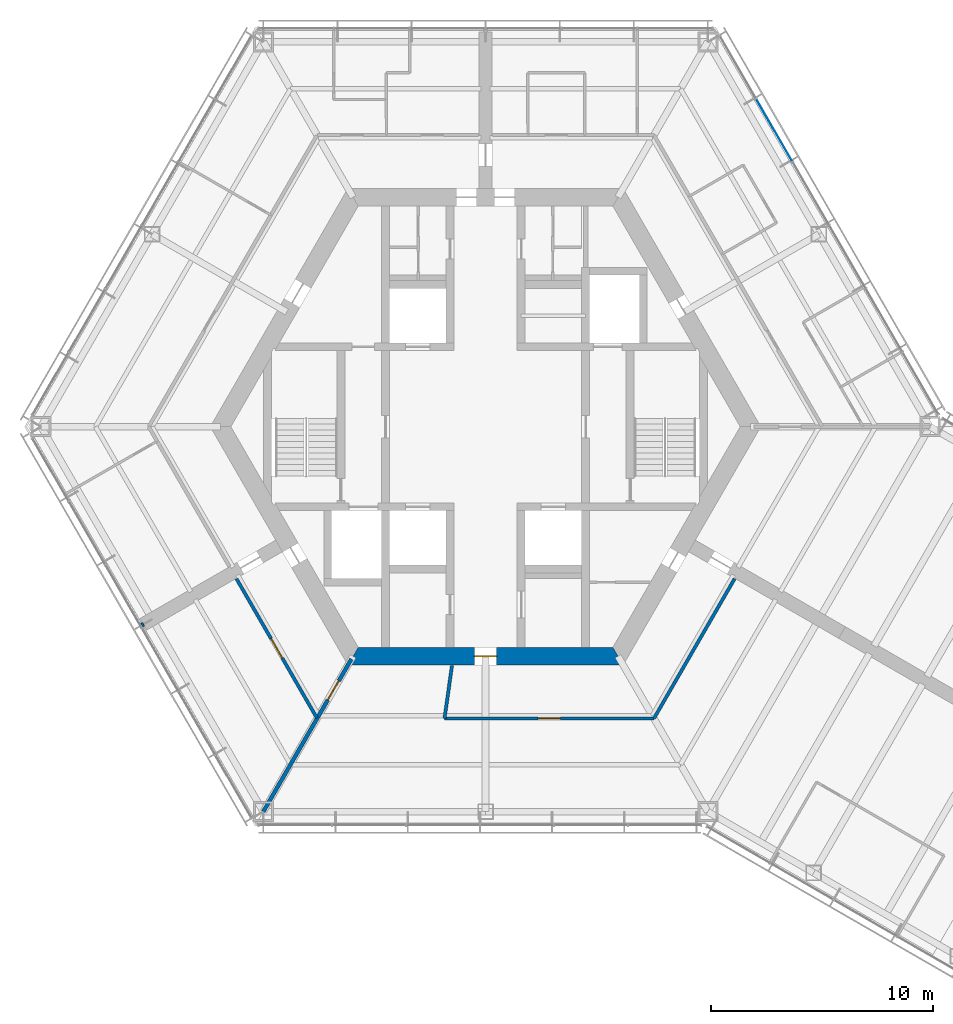
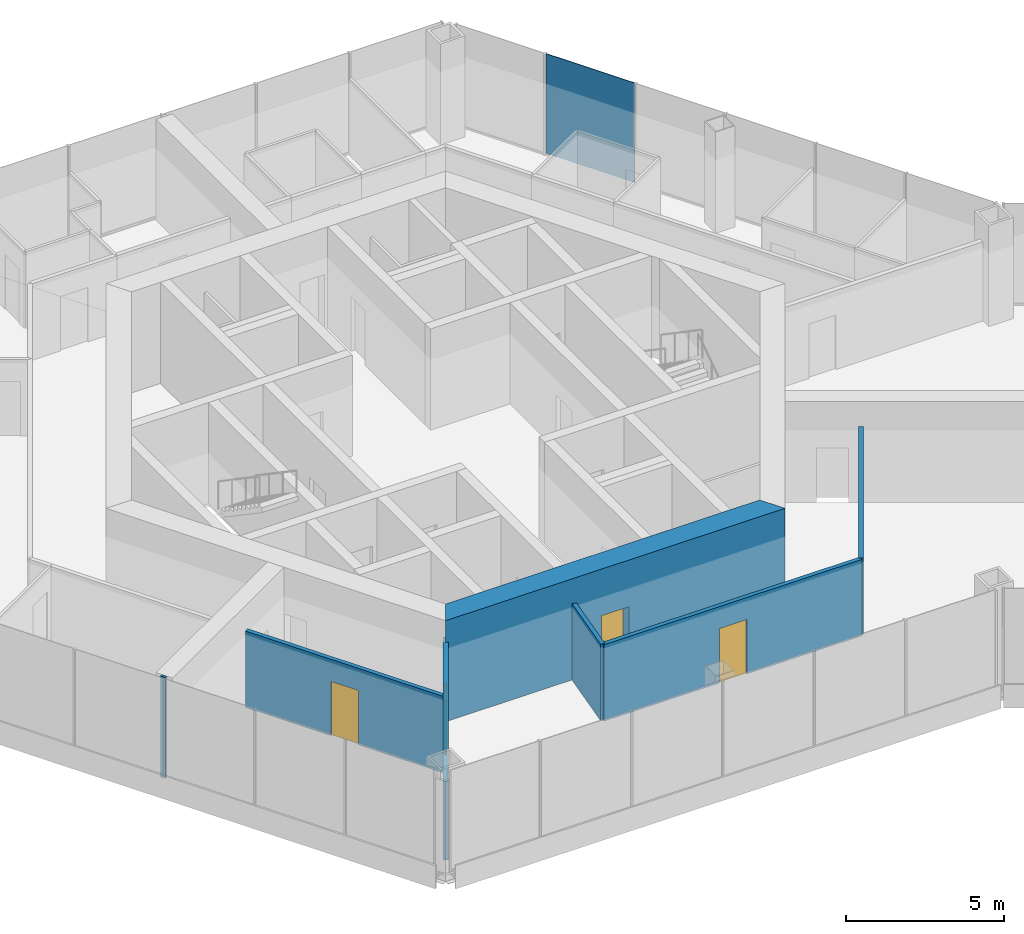
# One storey, part 9 of 15: 7 walls, 4 doors, 1 plate, 4 openings, 1 element without a shape of its own.
"""IFC4 building model written with IfcOpenShell, lengths in metres."""

from ifc_helpers import new_model, si_unit, direction, frame, frame_2d, origin, origin_2d, place, context, subcontext, project, spatial, polyline, rectangle, outline, extrude, material, layer, layer_set, type_object, element, fill, aggregate, save


model = new_model("IFC4")

# Units and contexts
model_context = context("Model", 3, precision=1e-05, world=origin(), true_north=direction((0.0, 1.0)))
body_context = subcontext(model_context, "Body", "Model", "MODEL_VIEW")
ifc_project = project(units=[si_unit("LENGTHUNIT", "METRE"), si_unit("AREAUNIT", "SQUARE_METRE"), si_unit("VOLUMEUNIT", "CUBIC_METRE"), si_unit("PLANEANGLEUNIT", "RADIAN"), si_unit("MASSUNIT", "GRAM", prefix="KILO")], contexts=[model_context])

# Site, building, storey
site_placement = place(None, origin())
site = spatial("IfcSite", under=ifc_project, at=site_placement, CompositionType="ELEMENT")
building_placement = place(site_placement, origin())
building = spatial("IfcBuilding", under=site, at=building_placement, Name="Kasaneha Research Tower", CompositionType="ELEMENT")
storey_placement = place(building_placement, frame((0.0, 0.0, 212.800048828125)))
storey = spatial("IfcBuildingStorey", under=building, at=storey_placement, Name="L53", CompositionType="ELEMENT", Elevation=212.800048828125)

# Curtain wall, plate
ifc_material_1 = material(Name="Glass and aluminium", Category="aluminium")
curtain_wall_type = type_object("IfcCurtainWallType", Name="High-rise office curtain wall", PredefinedType="USERDEFINED", material=ifc_material_1)
curtain_wall_placement = place(storey_placement, origin())
curtain_wall = element("IfcCurtainWall", 1, at=curtain_wall_placement, inside=storey, type_object=curtain_wall_type, Name="CW-O3 L53 run 01a", ObjectType="UNITISED CURTAIN WALL", PredefinedType="USERDEFINED")
ifc_material_2 = material(Name="Laminated double glazing", Category="glass")
ifc_layer_1 = layer(ifc_material_2, 0.02392578125)
ifc_layer_set_1 = layer_set([ifc_layer_1], Name="CW-O3 glazed panel")
plate_type = type_object("IfcPlateType", Name="CW-O3 glazed panel", PredefinedType="CURTAIN_PANEL", material=ifc_layer_set_1)
plate_placement = place(storey_placement, frame((12.98779296875, 13.345458984375, 0.06005859375), z_axis=(0.0, 0.0, 1.0), x_axis=(-0.499999979232, 0.866025415775, 0.0)))
plate = element("IfcPlate", 2, at=plate_placement, type_object=plate_type, Name="CW-O3 panel 5", PredefinedType="CURTAIN_PANEL", context=body_context, shape_type="SweptSolid", body=[
    extrude(rectangle(XDim=3.2294921875, YDim=0.02392578125, at=origin_2d()), origin(), (0.0, 0.0, 1.0), 3.840087890625),
])
aggregate(curtain_wall, [plate])

# Wall, opening, door
ifc_material_3 = material(Name="Concrete Fc60", Category="concrete")
ifc_layer_2 = layer(ifc_material_3, 0.800048828125)
ifc_layer_set_2 = layer_set([ifc_layer_2], Name="Core wall 800 Fc60")
wall_type_1 = type_object("IfcWallType", Name="Core wall 800 Fc60", PredefinedType="SHEAR", material=ifc_layer_set_2)
wall_1_placement = place(storey_placement, frame((-5.961181640625, -10.324951171875, 0.0), z_axis=(0.0, 0.0, 1.0), x_axis=(1.0, 0.0, 0.0)))
wall_1 = element("IfcWall", 3, at=wall_1_placement, inside=storey, type_object=wall_type_1, Name="Core wall 270 L53", PredefinedType="SHEAR", context=body_context, shape_type="SweptSolid", body=[
    extrude(outline(polyline([(-0.23095703125, -0.39990234375), (5.461181640625, -0.39990234375), (6.461181640625, -0.39990234375), (12.1533203125, -0.39990234375), (11.69140625, 0.39990234375), (6.461181640625, 0.39990234375), (5.461181640625, 0.39990234375), (0.23095703125, 0.39990234375), (-0.23095703125, -0.39990234375)])), origin(), (0.0, 0.0, 1.0), 3.89990234375),
])
opening_1_placement = place(wall_1_placement, frame((5.461181640625, 0.0, 0.0)))
opening_1 = element("IfcOpeningElement", 4, at=opening_1_placement, cuts=wall_1, Name="Opening L53-D03", PredefinedType="OPENING", context=body_context, shape_type="SweptSolid", body=[
    extrude(rectangle(XDim=1.0, YDim=2.10009765625, at=frame_2d((0.5, 1.050048828125))), frame((0.0, 0.41015625, 0.0), z_axis=(0.0, -1.0, 0.0), x_axis=(1.0, 0.0, 0.0)), (0.0, 0.0, 1.0), 0.820068359375),
])
ifc_material_4 = material(Name="Steel", Category="steel")
door_type_1 = type_object("IfcDoorType", Name="Fire door FD20 1000x2100", OperationType="NOTDEFINED", PredefinedType="DOOR", material=ifc_material_4)
door_1_placement = place(opening_1_placement, origin())
door_1 = element("IfcDoor", 5, at=door_1_placement, inside=storey, type_object=door_type_1, Name="Core door south L53-D03", OperationType="SINGLE_SWING_LEFT", OverallHeight=2.10009765625, OverallWidth=1.0, PredefinedType="DOOR", context=body_context, shape_type="SweptSolid", body=[
    extrude(rectangle(XDim=1.0, YDim=2.10009765625, at=frame_2d((0.5, 1.050048828125))), frame((0.0, 0.02490234375, 0.0), z_axis=(0.0, -1.0, 0.0), x_axis=(1.0, 0.0, 0.0)), (0.0, 0.0, 1.0), 0.050048828125),
])
fill(opening_1, door_1)

ifc_material_5 = material(Name="Gypsum board on steel studs, two layers each side", Category="steel")
ifc_layer_3 = layer(ifc_material_5, 0.14990234375)
ifc_layer_set_3 = layer_set([ifc_layer_3], Name="Suite partition 150")
wall_type_2 = type_object("IfcWallType", Name="Suite partition 150", PredefinedType="PARTITIONING", material=ifc_layer_set_3)
wall_2_placement = place(storey_placement, frame((-7.58935546875, -13.10498046875, 0.0), z_axis=(0.0, 0.0, 1.0), x_axis=(-0.499986333712, 0.866033293876, 0.0)))
wall_2 = element("IfcWall", 6, at=wall_2_placement, inside=storey, type_object=wall_type_2, Name="Suite partition FBS01 L53", PredefinedType="PARTITIONING", context=body_context, shape_type="SweptSolid", body=[
    extrude(rectangle(XDim=7.234619140625, YDim=0.14990234375, at=frame_2d((3.6171875, 0.0))), origin(), (0.0, 0.0, 1.0), 2.949951171875),
])
opening_2_placement = place(wall_2_placement, frame((3.1171875, 0.0, 0.0)))
opening_2 = element("IfcOpeningElement", 7, at=opening_2_placement, cuts=wall_2, Name="Opening L53-D39", PredefinedType="OPENING", context=body_context, shape_type="SweptSolid", body=[
    extrude(rectangle(XDim=1.0, YDim=2.10009765625, at=frame_2d((0.5, 1.050048828125))), frame((0.0, 0.0849609375, 0.0), z_axis=(0.0, -1.0, 0.0), x_axis=(1.0, 0.0, 0.0)), (0.0, 0.0, 1.0), 0.169921875),
])
ifc_material_6 = material(Name="Steel", Category="steel")
door_type_2 = type_object("IfcDoorType", Name="Suite entrance door FD60 1000x2100", OperationType="NOTDEFINED", PredefinedType="DOOR", material=ifc_material_6)
door_2_placement = place(opening_2_placement, origin())
door_2 = element("IfcDoor", 8, at=door_2_placement, inside=storey, type_object=door_type_2, Name="Suite entrance door L53-D39", OperationType="SINGLE_SWING_LEFT", OverallHeight=2.10009765625, OverallWidth=1.0, PredefinedType="DOOR", context=body_context, shape_type="SweptSolid", body=[
    extrude(rectangle(XDim=1.0, YDim=2.10009765625, at=frame_2d((0.5, 1.050048828125))), frame((0.0, 0.02490234375, 0.0), z_axis=(0.0, -1.0, 0.0), x_axis=(1.0, 0.0, 0.0)), (0.0, 0.0, 1.0), 0.050048828125),
])
fill(opening_2, door_2)

# Wall
wall_3_placement = place(storey_placement, frame((-1.844482421875, -13.125, 0.0), z_axis=(0.0, 0.0, 1.0), x_axis=(0.139173892267, 0.99026795753, 0.0)))
element("IfcWall", 9, at=wall_3_placement, inside=storey, type_object=wall_type_2, Name="Suite partition FCS01 L53", PredefinedType="PARTITIONING", context=body_context, shape_type="SweptSolid", body=[
    extrude(rectangle(XDim=2.4033203125, YDim=0.14990234375, at=frame_2d((1.20166015625, 0.0))), origin(), (0.0, 0.0, 1.0), 2.949951171875),
])

# Wall, opening, door
wall_4_placement = place(storey_placement, frame((7.57763671875, -13.125, 0.0), z_axis=(0.0, 0.0, 1.0), x_axis=(-1.0, 0.0, 0.0)))
wall_4 = element("IfcWall", 10, at=wall_4_placement, inside=storey, type_object=wall_type_2, Name="Suite partition FCS02 L53", PredefinedType="PARTITIONING", context=body_context, shape_type="SweptSolid", body=[
    extrude(rectangle(XDim=9.422119140625, YDim=0.14990234375, at=frame_2d((4.7109375, 0.0))), origin(), (0.0, 0.0, 1.0), 2.949951171875),
])
opening_3_placement = place(wall_4_placement, frame((4.211181640625, 0.0, 0.0)))
opening_3 = element("IfcOpeningElement", 11, at=opening_3_placement, cuts=wall_4, Name="Opening L53-D41", PredefinedType="OPENING", context=body_context, shape_type="SweptSolid", body=[
    extrude(rectangle(XDim=1.0, YDim=2.10009765625, at=frame_2d((0.5, 1.050048828125))), frame((0.0, 0.0849609375, 0.0), z_axis=(0.0, -1.0, 0.0), x_axis=(1.0, 0.0, 0.0)), (0.0, 0.0, 1.0), 0.169921875),
])
door_3_placement = place(opening_3_placement, origin())
door_3 = element("IfcDoor", 12, at=door_3_placement, inside=storey, type_object=door_type_2, Name="Suite entrance door L53-D41", OperationType="SINGLE_SWING_LEFT", OverallHeight=2.10009765625, OverallWidth=1.0, PredefinedType="DOOR", context=body_context, shape_type="SweptSolid", body=[
    extrude(rectangle(XDim=1.0, YDim=2.10009765625, at=frame_2d((0.5, 1.050048828125))), frame((0.0, 0.02490234375, 0.0), z_axis=(0.0, -1.0, 0.0), x_axis=(1.0, 0.0, 0.0)), (0.0, 0.0, 1.0), 0.050048828125),
])
fill(opening_3, door_3)

# Wall
wall_5_placement = place(storey_placement, frame((11.20654296875, -6.839599609375, 0.0), z_axis=(0.0, 0.0, 1.0), x_axis=(-0.500002959843, -0.866023694911, 0.0)))
element("IfcWall", 13, at=wall_5_placement, inside=storey, type_object=wall_type_2, Name="Suite partition FCS03 L53", PredefinedType="PARTITIONING", context=body_context, shape_type="SweptSolid", body=[
    extrude(rectangle(XDim=7.2578125, YDim=0.14990234375, at=frame_2d((3.62890625, 0.0))), origin(), (0.0, 0.0, 1.0), 2.949951171875),
])

# Wall, opening, door
ifc_material_7 = material(Name="Gypsum board on steel studs, two layers each side", Category="steel")
ifc_layer_4 = layer(ifc_material_7, 0.175048828125)
ifc_layer_set_4 = layer_set([ifc_layer_4], Name="Tenancy fire partition 175")
wall_type_3 = type_object("IfcWallType", Name="Tenancy fire partition 175", PredefinedType="PARTITIONING", material=ifc_layer_set_4)
wall_6_placement = place(storey_placement, frame((-6.034912109375, -10.45263671875, 0.0), z_axis=(0.0, 0.0, 1.0), x_axis=(-0.499989830942, -0.866031274813, 0.0)))
wall_6 = element("IfcWall", 14, at=wall_6_placement, inside=storey, type_object=wall_type_3, Name="Tenancy fire partition T240 L53", PredefinedType="PARTITIONING", context=body_context, shape_type="SweptSolid", body=[
    extrude(rectangle(XDim=7.930419921875, YDim=0.175048828125, at=frame_2d((3.96533203125, 0.0))), origin(), (0.0, 0.0, 1.0), 3.050048828125),
])
opening_4_placement = place(wall_6_placement, frame((1.1298828125, 0.0, 0.0)))
opening_4 = element("IfcOpeningElement", 15, at=opening_4_placement, cuts=wall_6, Name="Opening L53-D26", PredefinedType="OPENING", context=body_context, shape_type="SweptSolid", body=[
    extrude(rectangle(XDim=1.0, YDim=2.10009765625, at=frame_2d((0.5, 1.050048828125))), frame((0.0, 0.09765625, 0.0), z_axis=(0.0, -1.0, 0.0), x_axis=(1.0, 0.0, 0.0)), (0.0, 0.0, 1.0), 0.195068359375),
])
door_4_placement = place(opening_4_placement, origin())
door_4 = element("IfcDoor", 16, at=door_4_placement, inside=storey, type_object=door_type_2, Name="Connecting door L53-D26", OperationType="SINGLE_SWING_RIGHT", OverallHeight=2.10009765625, OverallWidth=1.0, PredefinedType="DOOR", context=body_context, shape_type="SweptSolid", body=[
    extrude(rectangle(XDim=1.0, YDim=2.10009765625, at=frame_2d((0.5, 1.050048828125))), frame((0.0, 0.02490234375, 0.0), z_axis=(0.0, -1.0, 0.0), x_axis=(1.0, 0.0, 0.0)), (0.0, 0.0, 1.0), 0.050048828125),
])
fill(opening_4, door_4)

# Wall
wall_7_placement = place(storey_placement, frame((-15.3896484375, -8.88525390625, 0.0), z_axis=(0.0, 0.0, 1.0), x_axis=(-0.866472036435, -0.499225610396, 0.0)))
element("IfcWall", 17, at=wall_7_placement, inside=storey, type_object=wall_type_3, Name="Spine wall closer SW4-600 L53", PredefinedType="PARTITIONING", context=body_context, shape_type="SweptSolid", body=[
    extrude(rectangle(XDim=0.085205078125, YDim=0.175048828125, at=frame_2d((0.04248046875, 0.0))), origin(), (0.0, 0.0, 1.0), 3.89990234375),
])

save(model, "model.ifc")
